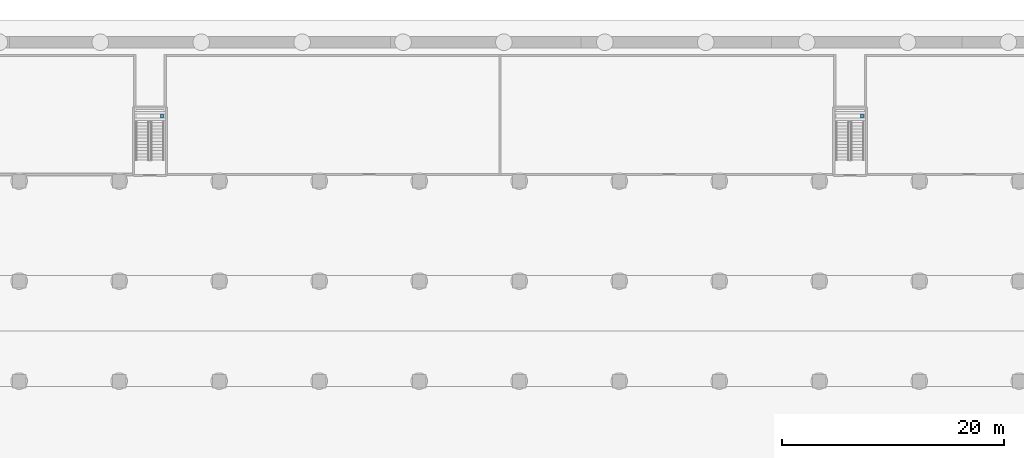
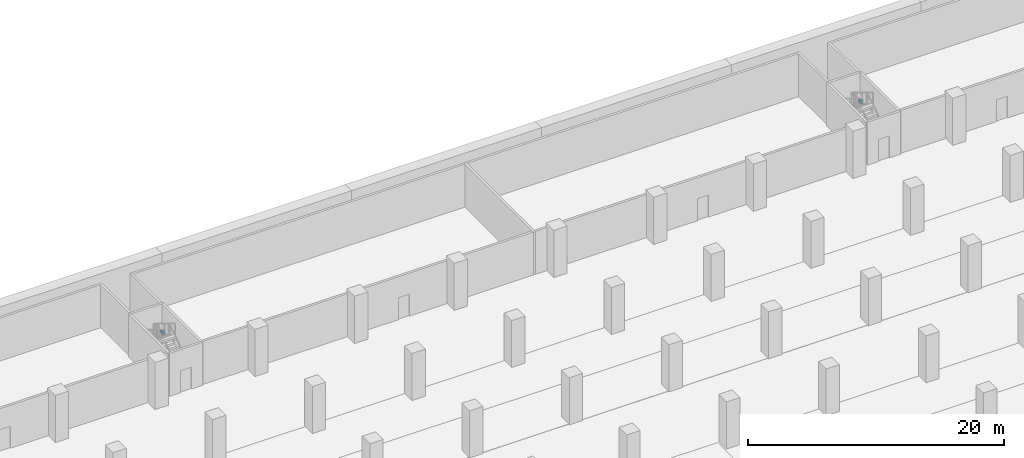
# One storey, part 10 of 39: 2 beams.
"""IFC4 building model written with IfcOpenShell, lengths in metres."""

from ifc_helpers import new_model, si_unit, direction, frame, origin, origin_2d, place, context, subcontext, project, spatial, rectangle, extrude, material, material_profile, profile_set, type_object, element, save


model = new_model("IFC4")

# Units and contexts
model_context = context("Model", 3, precision=1e-05, world=origin(), true_north=direction((0.0, 1.0)))
body_context = subcontext(model_context, "Body", "Model", "MODEL_VIEW")
ifc_project = project(units=[si_unit("LENGTHUNIT", "METRE"), si_unit("AREAUNIT", "SQUARE_METRE"), si_unit("VOLUMEUNIT", "CUBIC_METRE"), si_unit("PLANEANGLEUNIT", "RADIAN"), si_unit("MASSUNIT", "GRAM", prefix="KILO")], contexts=[model_context])

# Site, building, storey
site_placement = place(None, origin())
site = spatial("IfcSite", under=ifc_project, at=site_placement, CompositionType="ELEMENT")
building_placement = place(site_placement, origin())
building = spatial("IfcBuilding", under=site, at=building_placement, Name="Ogive Gate Towers", CompositionType="ELEMENT")
storey_placement = place(building_placement, frame((0.0, 0.0, -9.0)))
storey = spatial("IfcBuildingStorey", under=building, at=storey_placement, Name="B2", CompositionType="ELEMENT", Elevation=-9.0)

# Beams
ifc_material = material(Name="Concrete C40/50", Category="concrete")
ifc_material_profile = material_profile(ifc_material, rectangle(XDim=0.25, YDim=0.300048828125, at=origin_2d()), Name="RC 250x300")
ifc_profile_set = profile_set([ifc_material_profile], Name="Concrete C40/50")
beam_type = type_object("IfcBeamType", Name="Landing bearer RC 250x300 (stair)", PredefinedType="BEAM", material=ifc_profile_set)
for number, where, z_axis, x_axis, name in (
    (1, (30.85009765625, 68.68505859375, 1.89990234375), (0.0, 1.0, 0.0), (-1.0, 0.0, 0.0), "CS3 B2 landing 1 bearer 3"),
    (2, (93.85009765625, 68.68505859375, 1.89990234375), (0.0, 1.0, 0.0), (-1.0, 0.0, 0.0), "CS4 B2 landing 1 bearer 3"),
):
    element("IfcBeam", number, at=place(storey_placement, frame(where, z_axis=z_axis, x_axis=x_axis)), inside=storey, type_object=beam_type, Name=name, PredefinedType="BEAM", context=body_context, shape_type="SweptSolid", body=[
        extrude(rectangle(XDim=0.25, YDim=0.300048828125, at=origin_2d()), origin(), (0.0, 0.0, 1.0), 0.349853515625),
    ])

save(model, "model.ifc")
